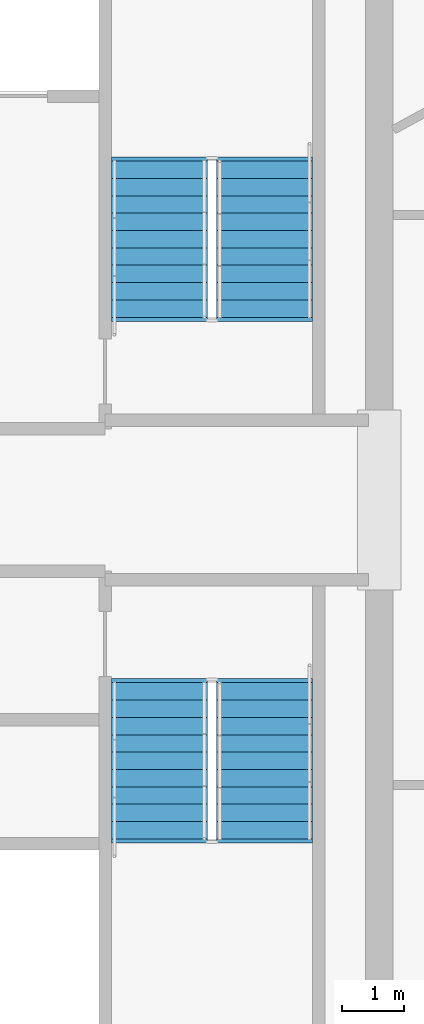
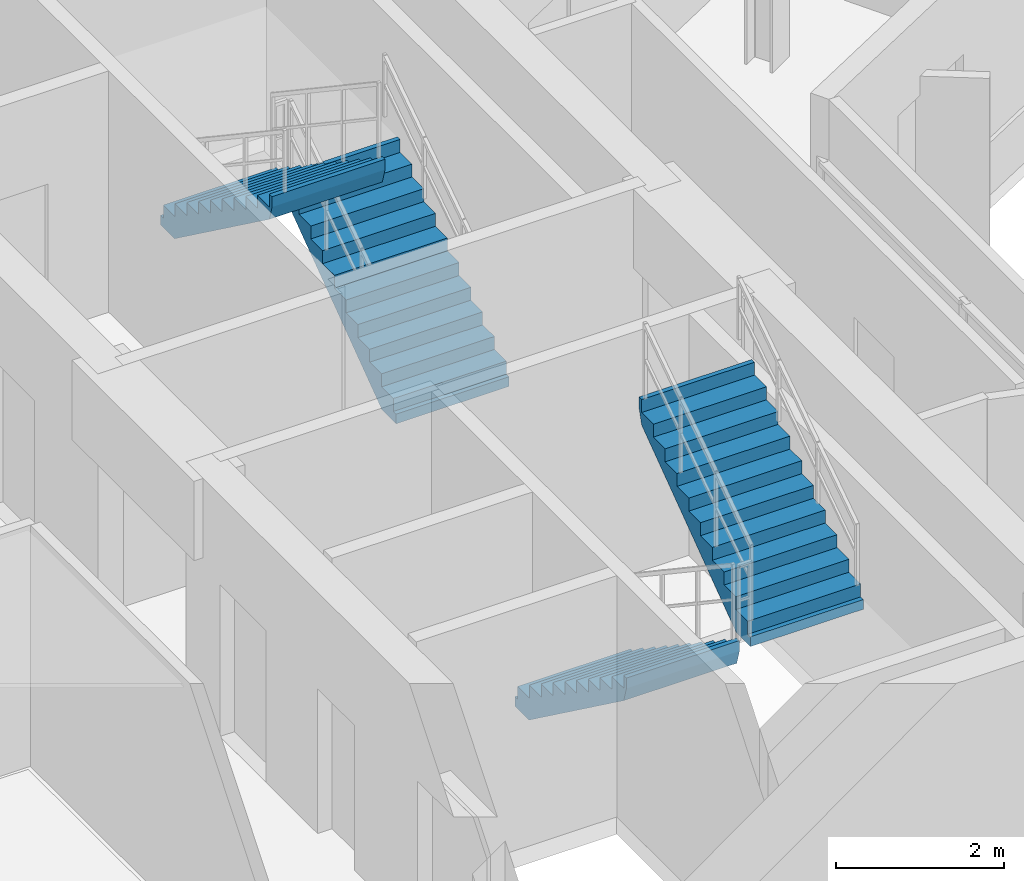
# One storey, part 9 of 13: 4 stair flights, 2 elements without a shape of their own.
"""IFC4 building model written with IfcOpenShell, lengths in metres."""

from ifc_helpers import new_model, si_unit, direction, frame, origin, place, context, subcontext, project, spatial, polyline, outline, extrude, material, type_object, element, aggregate, save


model = new_model("IFC4")

# Units and contexts
model_context = context("Model", 3, precision=1e-05, world=origin(), true_north=direction((0.0, 1.0)))
body_context = subcontext(model_context, "Body", "Model", "MODEL_VIEW")
ifc_project = project(units=[si_unit("LENGTHUNIT", "METRE"), si_unit("AREAUNIT", "SQUARE_METRE"), si_unit("VOLUMEUNIT", "CUBIC_METRE"), si_unit("PLANEANGLEUNIT", "RADIAN"), si_unit("MASSUNIT", "GRAM", prefix="KILO")], contexts=[model_context])

# Site, building, storey
site_placement = place(None, origin())
site = spatial("IfcSite", under=ifc_project, at=site_placement, CompositionType="ELEMENT")
building_placement = place(site_placement, origin())
building = spatial("IfcBuilding", under=site, at=building_placement, Name="Zahravan Cultural Tower", CompositionType="ELEMENT")
storey_placement = place(building_placement, frame((0.0, 0.0, 257.85009765625)))
storey = spatial("IfcBuildingStorey", under=building, at=storey_placement, Name="L61", CompositionType="ELEMENT", Elevation=257.85009765625)

# Stair, stair flights
ifc_material = material(Name="Concrete C45/55", Category="concrete")
stair_type = type_object("IfcStairType", Name="STR-DL-1550-375", PredefinedType="HALF_TURN_STAIR", material=ifc_material)
stair_1_placement = place(storey_placement, origin())
stair_1 = element("IfcStair", 1, at=stair_1_placement, inside=storey, type_object=stair_type, Name="L61 East Core North Exit Stair ST-E1", PredefinedType="HALF_TURN_STAIR")
stair_flight_type = type_object("IfcStairFlightType", Name="FLG-DL-1550-375", PredefinedType="STRAIGHT", material=ifc_material)
stair_flight_1_placement = place(storey_placement, frame((48.675048828125, 29.949951171875, 0.0), z_axis=(0.0, 0.0, 1.0), x_axis=(0.0, 1.0, 0.0)))
stair_flight_1 = element("IfcStairFlight", 2, at=stair_flight_1_placement, type_object=stair_flight_type, Name="ST-E1 flight 1", NumberOfRisers=10, NumberOfTreads=9, PredefinedType="STRAIGHT", RiserHeight=0.1875, TreadLength=0.28, context=body_context, shape_type="SweptSolid", body=[
    extrude(outline(polyline([(-0.06494140625, -0.139892578125), (-0.06494140625, 0.0), (0.0, 0.0), (0.0, 0.1875), (0.280029296875, 0.1875), (0.280029296875, 0.375), (0.56005859375, 0.375), (0.56005859375, 0.5625), (0.840087890625, 0.5625), (0.840087890625, 0.75), (1.1201171875, 0.75), (1.1201171875, 0.9375), (1.39990234375, 0.9375), (1.39990234375, 1.125), (1.679931640625, 1.125), (1.679931640625, 1.3125), (1.9599609375, 1.3125), (1.9599609375, 1.5), (2.239990234375, 1.5), (2.239990234375, 1.6875), (2.52001953125, 1.6875), (2.52001953125, 1.875), (2.5849609375, 1.875), (2.5849609375, 1.72509765625), (2.52001953125, 1.507080078125), (0.26953125, -0.139892578125), (-0.06494140625, -0.139892578125)])), frame((0.0, 0.77490234375, 0.0), z_axis=(0.0, -1.0, 0.0), x_axis=(1.0, 0.0, 0.0)), (0.0, 0.0, 1.0), 1.550048828125),
])
stair_flight_2_placement = place(storey_placement, frame((46.97509765625, 32.469970703125, 1.875), z_axis=(0.0, 0.0, 1.0), x_axis=(0.0, -1.0, 0.0)))
stair_flight_2 = element("IfcStairFlight", 3, at=stair_flight_2_placement, type_object=stair_flight_type, Name="ST-E1 flight 2", NumberOfRisers=10, NumberOfTreads=9, PredefinedType="STRAIGHT", RiserHeight=0.1875, TreadLength=0.28, context=body_context, shape_type="SweptSolid", body=[
    extrude(outline(polyline([(-0.06494140625, -0.139892578125), (-0.06494140625, 0.0), (0.0, 0.0), (0.0, 0.1875), (0.280029296875, 0.1875), (0.280029296875, 0.375), (0.56005859375, 0.375), (0.56005859375, 0.5625), (0.840087890625, 0.5625), (0.840087890625, 0.75), (1.1201171875, 0.75), (1.1201171875, 0.9375), (1.39990234375, 0.9375), (1.39990234375, 1.125), (1.679931640625, 1.125), (1.679931640625, 1.3125), (1.9599609375, 1.3125), (1.9599609375, 1.5), (2.239990234375, 1.5), (2.239990234375, 1.6875), (2.52001953125, 1.6875), (2.52001953125, 1.875), (2.5849609375, 1.875), (2.5849609375, 1.72509765625), (2.52001953125, 1.507080078125), (0.26953125, -0.139892578125), (-0.06494140625, -0.139892578125)])), frame((0.0, 0.77490234375, 0.0), z_axis=(0.0, -1.0, 0.0), x_axis=(1.0, 0.0, 0.0)), (0.0, 0.0, 1.0), 1.550048828125),
])
aggregate(stair_1, [stair_flight_1, stair_flight_2])

stair_2_placement = place(storey_placement, origin())
stair_2 = element("IfcStair", 4, at=stair_2_placement, inside=storey, type_object=stair_type, Name="L61 East Core South Exit Stair ST-E2", PredefinedType="HALF_TURN_STAIR")
stair_flight_3_placement = place(storey_placement, frame((46.97509765625, 24.050048828125, 0.0), z_axis=(0.0, 0.0, 1.0), x_axis=(0.0, -1.0, 0.0)))
stair_flight_3 = element("IfcStairFlight", 5, at=stair_flight_3_placement, type_object=stair_flight_type, Name="ST-E2 flight 1", NumberOfRisers=10, NumberOfTreads=9, PredefinedType="STRAIGHT", RiserHeight=0.1875, TreadLength=0.28, context=body_context, shape_type="SweptSolid", body=[
    extrude(outline(polyline([(-0.06494140625, -0.139892578125), (-0.06494140625, 0.0), (0.0, 0.0), (0.0, 0.1875), (0.280029296875, 0.1875), (0.280029296875, 0.375), (0.56005859375, 0.375), (0.56005859375, 0.5625), (0.840087890625, 0.5625), (0.840087890625, 0.75), (1.1201171875, 0.75), (1.1201171875, 0.9375), (1.39990234375, 0.9375), (1.39990234375, 1.125), (1.679931640625, 1.125), (1.679931640625, 1.3125), (1.9599609375, 1.3125), (1.9599609375, 1.5), (2.239990234375, 1.5), (2.239990234375, 1.6875), (2.52001953125, 1.6875), (2.52001953125, 1.875), (2.5849609375, 1.875), (2.5849609375, 1.72509765625), (2.52001953125, 1.507080078125), (0.26953125, -0.139892578125), (-0.06494140625, -0.139892578125)])), frame((0.0, 0.77490234375, 0.0), z_axis=(0.0, -1.0, 0.0), x_axis=(1.0, 0.0, 0.0)), (0.0, 0.0, 1.0), 1.550048828125),
])
stair_flight_4_placement = place(storey_placement, frame((48.675048828125, 21.530029296875, 1.875), z_axis=(0.0, 0.0, 1.0), x_axis=(0.0, 1.0, 0.0)))
stair_flight_4 = element("IfcStairFlight", 6, at=stair_flight_4_placement, type_object=stair_flight_type, Name="ST-E2 flight 2", NumberOfRisers=10, NumberOfTreads=9, PredefinedType="STRAIGHT", RiserHeight=0.1875, TreadLength=0.28, context=body_context, shape_type="SweptSolid", body=[
    extrude(outline(polyline([(-0.06494140625, -0.139892578125), (-0.06494140625, 0.0), (0.0, 0.0), (0.0, 0.1875), (0.280029296875, 0.1875), (0.280029296875, 0.375), (0.56005859375, 0.375), (0.56005859375, 0.5625), (0.840087890625, 0.5625), (0.840087890625, 0.75), (1.1201171875, 0.75), (1.1201171875, 0.9375), (1.39990234375, 0.9375), (1.39990234375, 1.125), (1.679931640625, 1.125), (1.679931640625, 1.3125), (1.9599609375, 1.3125), (1.9599609375, 1.5), (2.239990234375, 1.5), (2.239990234375, 1.6875), (2.52001953125, 1.6875), (2.52001953125, 1.875), (2.5849609375, 1.875), (2.5849609375, 1.72509765625), (2.52001953125, 1.507080078125), (0.26953125, -0.139892578125), (-0.06494140625, -0.139892578125)])), frame((0.0, 0.77490234375, 0.0), z_axis=(0.0, -1.0, 0.0), x_axis=(1.0, 0.0, 0.0)), (0.0, 0.0, 1.0), 1.550048828125),
])
aggregate(stair_2, [stair_flight_3, stair_flight_4])

save(model, "model.ifc")
